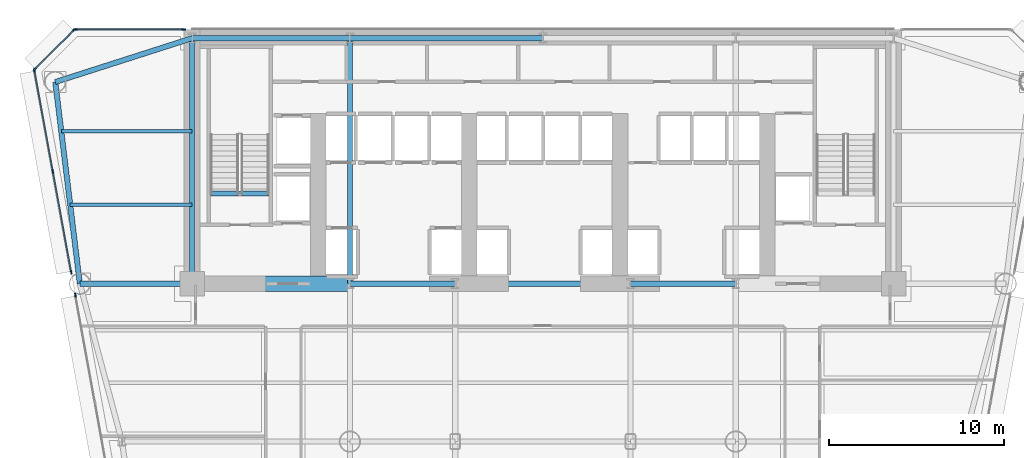
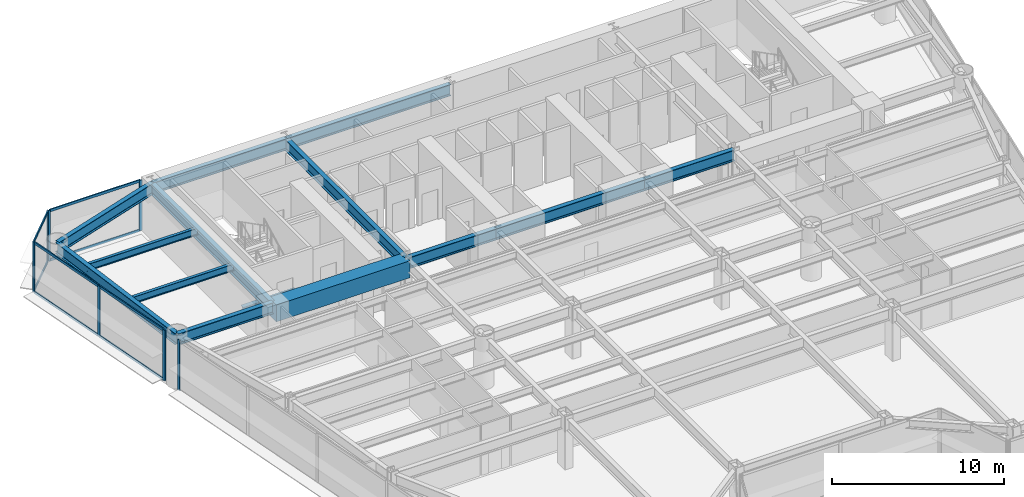
# One storey, part 5 of 14: 16 members, 14 beams, 4 elements without a shape of their own.
"""IFC4 building model written with IfcOpenShell, lengths in metres."""

from ifc_helpers import new_model, si_unit, direction, frame, origin, origin_2d, place, context, subcontext, project, spatial, rectangle, i_section, extrude, source, transform, mapped, material, layer, layer_set, material_profile, profile_set, type_object, element, aggregate, save


model = new_model("IFC4")

# Units and contexts
model_context = context("Model", 3, precision=1e-05, world=origin(), true_north=direction((0.0, 1.0)))
body_context = subcontext(model_context, "Body", "Model", "MODEL_VIEW")
ifc_project = project(units=[si_unit("LENGTHUNIT", "METRE"), si_unit("AREAUNIT", "SQUARE_METRE"), si_unit("VOLUMEUNIT", "CUBIC_METRE"), si_unit("PLANEANGLEUNIT", "RADIAN"), si_unit("MASSUNIT", "GRAM", prefix="KILO")], contexts=[model_context])

# Site, building, storey
site_placement = place(None, origin())
site = spatial("IfcSite", under=ifc_project, at=site_placement, CompositionType="ELEMENT")
building_placement = place(site_placement, origin())
building = spatial("IfcBuilding", under=site, at=building_placement, Name="Vaeldorn Concourse Tower", CompositionType="ELEMENT")
storey_placement = place(building_placement, frame((0.0, 0.0, 64.39990234375)))
storey = spatial("IfcBuildingStorey", under=building, at=storey_placement, Name="L16", CompositionType="ELEMENT", Elevation=64.39990234375)

# Beams
ifc_material_1 = material(Name="Concrete C60/75", Category="concrete")
ifc_material_profile_1 = material_profile(ifc_material_1, rectangle(XDim=0.89990234375, YDim=1.199951171875, at=origin_2d()), Name="RC 900x1200")
ifc_profile_set_1 = profile_set([ifc_material_profile_1], Name="Concrete C60/75")
beam_type_1 = type_object("IfcBeamType", Name="BM-CB-RC900", PredefinedType="BEAM", material=ifc_profile_set_1)
shared_shape_1 = source(origin(), body_context, "Body", "SweptSolid", [
    extrude(rectangle(XDim=0.89990234375, YDim=1.199951171875, at=origin_2d()), origin(), (0.0, 0.0, 1.0), 9.0),
])
beam_1_placement = place(storey_placement, frame((14.0, 36.5, 2.97998046875), z_axis=(1.0, 0.0, 0.0), x_axis=(0.0, 1.0, 0.0)))
element("IfcBeam", 1, at=beam_1_placement, inside=storey, type_object=beam_type_1, Name="Core Coupling Beam L16-1", PredefinedType="BEAM", context=body_context, shape_type="MappedRepresentation", body=[
    mapped(shared_shape_1, transform((0.0, 0.0, 0.0), scale=1.0)),
])
ifc_material_2 = material(Name="Steel S355", Category="steel")
ifc_material_profile_2 = material_profile(ifc_material_2, i_section(OverallWidth=0.300048828125, OverallDepth=0.340087890625, WebThickness=0.011962890625, FlangeThickness=0.021484375, FilletRadius=0.027099609375, at=origin_2d()), Name="HEB 340")
ifc_profile_set_2 = profile_set([ifc_material_profile_2], Name="Steel S355")
beam_type_2 = type_object("IfcBeamType", Name="BM-ST-TRIM", PredefinedType="BEAM", material=ifc_profile_set_2)
shared_shape_2 = source(origin(), body_context, "Body", "SweptSolid", [
    extrude(i_section(OverallWidth=0.300048828125, OverallDepth=0.340087890625, WebThickness=0.011962890625, FlangeThickness=0.021484375, FilletRadius=0.027099609375, at=origin_2d()), origin(), (0.0, 0.0, 1.0), 3.590087890625),
])
beam_2_placement = place(storey_placement, frame((14.929931640625, 41.639892578125, -0.389892578125), z_axis=(1.0, 0.0, 0.0), x_axis=(0.0, 1.0, 0.0)))
element("IfcBeam", 2, at=beam_2_placement, inside=storey, type_object=beam_type_2, Name="Stair Landing Trimmer Beam ST-1 L16", PredefinedType="BEAM", context=body_context, shape_type="MappedRepresentation", body=[
    mapped(shared_shape_2, transform((0.0, 0.0, 0.0), scale=1.0)),
])
ifc_material_profile_3 = material_profile(ifc_material_2, i_section(OverallWidth=0.300048828125, OverallDepth=0.800048828125, WebThickness=0.017578125, FlangeThickness=0.032958984375, FilletRadius=0.030029296875, at=origin_2d()), Name="HEB 800")
ifc_profile_set_3 = profile_set([ifc_material_profile_3], Name="Steel S355")
beam_type_3 = type_object("IfcBeamType", Name="BM-PG-HEB800", PredefinedType="BEAM", material=ifc_profile_set_3)
shared_shape_3 = source(origin(), body_context, "Body", "SweptSolid", [
    extrude(i_section(OverallWidth=0.300048828125, OverallDepth=0.800048828125, WebThickness=0.017578125, FlangeThickness=0.032958984375, FilletRadius=0.030029296875, at=origin_2d()), origin(), (0.0, 0.0, 1.0), 6.0),
])
for number, where, z_axis, x_axis, name in (
    (3, (23.0, 36.5, 3.18017578125), (1.0, 0.0, 0.0), (0.0, 1.0, 0.0), "Beam BM-L16-C-FC2-C-FC3"),
    (4, (39.0, 36.5, 3.18017578125), (1.0, 0.0, 0.0), (0.0, 1.0, 0.0), "Beam BM-L16-C-FC4-C-FC5"),
):
    element("IfcBeam", number, at=place(storey_placement, frame(where, z_axis=z_axis, x_axis=x_axis)), inside=storey, type_object=beam_type_3, Name=name, PredefinedType="BEAM", context=body_context, shape_type="MappedRepresentation", body=[
        mapped(shared_shape_3, transform((0.0, 0.0, 0.0), scale=1.0)),
    ])
shared_shape_4 = source(origin(), body_context, "Body", "SweptSolid", [
    extrude(i_section(OverallWidth=0.300048828125, OverallDepth=0.800048828125, WebThickness=0.017578125, FlangeThickness=0.032958984375, FilletRadius=0.030029296875, at=origin_2d()), origin(), (0.0, 0.0, 1.0), 10.0),
])
beam_3_placement = place(storey_placement, frame((29.0, 36.5, 3.18017578125), z_axis=(1.0, 0.0, 0.0), x_axis=(0.0, 1.0, 0.0)))
element("IfcBeam", 5, at=beam_3_placement, inside=storey, type_object=beam_type_3, Name="Beam BM-L16-C-FC3-C-FC4", PredefinedType="BEAM", context=body_context, shape_type="MappedRepresentation", body=[
    mapped(shared_shape_4, transform((0.0, 0.0, 0.0), scale=1.0)),
])
shared_shape_5 = source(origin(), body_context, "Body", "SweptSolid", [
    extrude(i_section(OverallWidth=0.300048828125, OverallDepth=0.800048828125, WebThickness=0.017578125, FlangeThickness=0.032958984375, FilletRadius=0.030029296875, at=origin_2d()), origin(), (0.0, 0.0, 1.0), 9.0),
])
beam_4_placement = place(storey_placement, frame((14.0, 50.5, 3.18017578125), z_axis=(1.0, 0.0, 0.0), x_axis=(0.0, 1.0, 0.0)))
element("IfcBeam", 6, at=beam_4_placement, inside=storey, type_object=beam_type_3, Name="Beam BM-L16-C-HC1-C-HC2", PredefinedType="BEAM", context=body_context, shape_type="MappedRepresentation", body=[
    mapped(shared_shape_5, transform((0.0, 0.0, 0.0), scale=1.0)),
])
shared_shape_6 = source(origin(), body_context, "Body", "SweptSolid", [
    extrude(i_section(OverallWidth=0.300048828125, OverallDepth=0.800048828125, WebThickness=0.017578125, FlangeThickness=0.032958984375, FilletRadius=0.030029296875, at=origin_2d()), origin(), (0.0, 0.0, 1.0), 11.0),
])
beam_5_placement = place(storey_placement, frame((23.0, 50.5, 3.18017578125), z_axis=(1.0, 0.0, 0.0), x_axis=(0.0, 1.0, 0.0)))
element("IfcBeam", 7, at=beam_5_placement, inside=storey, type_object=beam_type_3, Name="Beam BM-L16-C-HC2-C-HC3", PredefinedType="BEAM", context=body_context, shape_type="MappedRepresentation", body=[
    mapped(shared_shape_6, transform((0.0, 0.0, 0.0), scale=1.0)),
])
shared_shape_7 = source(origin(), body_context, "Body", "SweptSolid", [
    extrude(i_section(OverallWidth=0.300048828125, OverallDepth=0.800048828125, WebThickness=0.017578125, FlangeThickness=0.032958984375, FilletRadius=0.030029296875, at=origin_2d()), origin(), (0.0, 0.0, 1.0), 14.0),
])
for number, where, z_axis, x_axis, name in (
    (8, (14.0, 36.5, 3.18017578125), (0.0, 1.0, 0.0), (-1.0, 0.0, 0.0), "Beam BM-L16-C-FC1-C-HC1"),
    (9, (23.0, 36.5, 3.18017578125), (0.0, 1.0, 0.0), (-1.0, 0.0, 0.0), "Beam BM-L16-C-FC2-C-HC2"),
):
    element("IfcBeam", number, at=place(storey_placement, frame(where, z_axis=z_axis, x_axis=x_axis)), inside=storey, type_object=beam_type_3, Name=name, PredefinedType="BEAM", context=body_context, shape_type="MappedRepresentation", body=[
        mapped(shared_shape_7, transform((0.0, 0.0, 0.0), scale=1.0)),
    ])
shared_shape_8 = source(origin(), body_context, "Body", "SweptSolid", [
    extrude(i_section(OverallWidth=0.300048828125, OverallDepth=0.800048828125, WebThickness=0.017578125, FlangeThickness=0.032958984375, FilletRadius=0.030029296875, at=origin_2d()), origin(), (0.0, 0.0, 1.0), 8.19091796875),
])
beam_6_placement = place(storey_placement, frame((6.199951171875, 48.0, 3.18017578125), z_axis=(0.952282843383, 0.305216949396, 0.0), x_axis=(-0.305216949396, 0.952282843383, 0.0)))
element("IfcBeam", 10, at=beam_6_placement, inside=storey, type_object=beam_type_3, Name="Beam BM-L16-C-NW1-C-HC1", PredefinedType="BEAM", context=body_context, shape_type="MappedRepresentation", body=[
    mapped(shared_shape_8, transform((0.0, 0.0, 0.0), scale=1.0)),
])
shared_shape_9 = source(origin(), body_context, "Body", "SweptSolid", [
    extrude(i_section(OverallWidth=0.300048828125, OverallDepth=0.800048828125, WebThickness=0.017578125, FlangeThickness=0.032958984375, FilletRadius=0.030029296875, at=origin_2d()), origin(), (0.0, 0.0, 1.0), 11.5849609375),
])
beam_7_placement = place(storey_placement, frame((6.199951171875, 48.0, 3.18017578125), z_axis=(0.120859382899, -0.992669637677, 0.0), x_axis=(0.992669637677, 0.120859382899, 0.0)))
element("IfcBeam", 11, at=beam_7_placement, inside=storey, type_object=beam_type_3, Name="Beam BM-L16-C-NW1-C-NW2", PredefinedType="BEAM", context=body_context, shape_type="MappedRepresentation", body=[
    mapped(shared_shape_9, transform((0.0, 0.0, 0.0), scale=1.0)),
])
shared_shape_10 = source(origin(), body_context, "Body", "SweptSolid", [
    extrude(i_section(OverallWidth=0.300048828125, OverallDepth=0.800048828125, WebThickness=0.017578125, FlangeThickness=0.032958984375, FilletRadius=0.030029296875, at=origin_2d()), origin(), (0.0, 0.0, 1.0), 6.39990234375),
])
beam_8_placement = place(storey_placement, frame((7.60009765625, 36.5, 3.18017578125), z_axis=(1.0, 0.0, 0.0), x_axis=(0.0, 1.0, 0.0)))
element("IfcBeam", 12, at=beam_8_placement, inside=storey, type_object=beam_type_3, Name="Beam BM-L16-C-NW2-C-FC1", PredefinedType="BEAM", context=body_context, shape_type="MappedRepresentation", body=[
    mapped(shared_shape_10, transform((0.0, 0.0, 0.0), scale=1.0)),
])
ifc_material_profile_4 = material_profile(ifc_material_2, i_section(OverallWidth=0.199951171875, OverallDepth=0.5, WebThickness=0.01025390625, FlangeThickness=0.01611328125, FilletRadius=0.02099609375, at=origin_2d()), Name="IPE 500")
ifc_profile_set_4 = profile_set([ifc_material_profile_4], Name="Steel S355")
beam_type_4 = type_object("IfcBeamType", Name="BM-JS-IPE500", PredefinedType="JOIST", material=ifc_profile_set_4)
shared_shape_11 = source(origin(), body_context, "Body", "SweptSolid", [
    extrude(i_section(OverallWidth=0.199951171875, OverallDepth=0.5, WebThickness=0.01025390625, FlangeThickness=0.01611328125, FilletRadius=0.02099609375, at=origin_2d()), origin(), (0.0, 0.0, 1.0), 6.94775390625),
])
beam_9_placement = place(storey_placement, frame((7.05224609375, 41.0, 3.330078125), z_axis=(1.0, 0.0, 0.0), x_axis=(0.0, 1.0, 0.0)))
element("IfcBeam", 13, at=beam_9_placement, inside=storey, type_object=beam_type_4, Name="Beam JS-L16-NW-410", PredefinedType="JOIST", context=body_context, shape_type="MappedRepresentation", body=[
    mapped(shared_shape_11, transform((0.0, 0.0, 0.0), scale=1.0)),
])
shared_shape_12 = source(origin(), body_context, "Body", "SweptSolid", [
    extrude(i_section(OverallWidth=0.199951171875, OverallDepth=0.5, WebThickness=0.01025390625, FlangeThickness=0.01611328125, FilletRadius=0.02099609375, at=origin_2d()), origin(), (0.0, 0.0, 1.0), 7.458984375),
])
beam_10_placement = place(storey_placement, frame((6.541015625, 45.199951171875, 3.330078125), z_axis=(1.0, 0.0, 0.0), x_axis=(0.0, 1.0, 0.0)))
element("IfcBeam", 14, at=beam_10_placement, inside=storey, type_object=beam_type_4, Name="Beam JS-L16-NW-452", PredefinedType="JOIST", context=body_context, shape_type="MappedRepresentation", body=[
    mapped(shared_shape_12, transform((0.0, 0.0, 0.0), scale=1.0)),
])

# Curtain wall, members
ifc_material_3 = material(Name="Anodised Bronze Aluminium", Category="aluminium")
ifc_layer = layer(ifc_material_3, 0.219970703125)
ifc_layer_set = layer_set([ifc_layer], Name="Anodised Bronze Aluminium")
curtain_wall_type = type_object("IfcCurtainWallType", Name="CW-SYS-01", PredefinedType="NOTDEFINED", material=ifc_layer_set)
curtain_wall_1_placement = place(storey_placement, origin())
curtain_wall_1 = element("IfcCurtainWall", 15, at=curtain_wall_1_placement, inside=storey, type_object=curtain_wall_type, Name="Unitised Curtain Wall CW-L16-E10-1", PredefinedType="NOTDEFINED")
ifc_material_profile_5 = material_profile(ifc_material_3, rectangle(XDim=0.074951171875, YDim=0.179931640625, at=origin_2d()), Name="CWT 75x180")
ifc_profile_set_5 = profile_set([ifc_material_profile_5], Name="Anodised Bronze Aluminium")
member_type_1 = type_object("IfcMemberType", Name="CWT-BRONZE-180", PredefinedType="USERDEFINED", material=ifc_profile_set_5)
shared_shape_13 = source(origin(), body_context, "Body", "SweptSolid", [
    extrude(rectangle(XDim=0.074951171875, YDim=0.179931640625, at=origin_2d()), origin(), (0.0, 0.0, 1.0), 3.10302734375),
])
member_1_placement = place(storey_placement, frame((7.2470703125, 50.947021484375, 0.03759765625), z_axis=(-0.707106781187, -0.707106781187, 0.0), x_axis=(0.707106781187, -0.707106781187, 0.0)))
member_1 = element("IfcMember", 16, at=member_1_placement, type_object=member_type_1, Name="CW-01 transom 1.1", ObjectType="TRANSOM", PredefinedType="USERDEFINED", context=body_context, shape_type="MappedRepresentation", body=[
    mapped(shared_shape_13, transform((0.0, 0.0, 0.0), scale=1.0)),
])
member_2_placement = place(storey_placement, frame((7.2470703125, 50.947021484375, 3.54248046875), z_axis=(-0.707106781187, -0.707106781187, 0.0), x_axis=(0.707106781187, -0.707106781187, 0.0)))
member_2 = element("IfcMember", 17, at=member_2_placement, type_object=member_type_1, Name="CW-01 transom 1.2", ObjectType="TRANSOM", PredefinedType="USERDEFINED", context=body_context, shape_type="MappedRepresentation", body=[
    mapped(shared_shape_13, transform((0.0, 0.0, 0.0), scale=1.0)),
])

curtain_wall_2_placement = place(storey_placement, origin())
curtain_wall_2 = element("IfcCurtainWall", 18, at=curtain_wall_2_placement, inside=storey, type_object=curtain_wall_type, Name="Unitised Curtain Wall CW-L16-E09-2", PredefinedType="NOTDEFINED")
shared_shape_14 = source(origin(), body_context, "Body", "SweptSolid", [
    extrude(rectangle(XDim=0.074951171875, YDim=0.179931640625, at=origin_2d()), origin(), (0.0, 0.0, 1.0), 6.10498046875),
])
member_3_placement = place(storey_placement, frame((13.47998046875, 51.0, 0.03759765625), z_axis=(-1.0, 0.0, 0.0), x_axis=(0.0, -1.0, 0.0)))
member_3 = element("IfcMember", 19, at=member_3_placement, type_object=member_type_1, Name="CW-01 transom 1.1", ObjectType="TRANSOM", PredefinedType="USERDEFINED", context=body_context, shape_type="MappedRepresentation", body=[
    mapped(shared_shape_14, transform((0.0, 0.0, 0.0), scale=1.0)),
])
member_4_placement = place(storey_placement, frame((13.47998046875, 51.0, 3.54248046875), z_axis=(-1.0, 0.0, 0.0), x_axis=(0.0, -1.0, 0.0)))
member_4 = element("IfcMember", 20, at=member_4_placement, type_object=member_type_1, Name="CW-01 transom 1.2", ObjectType="TRANSOM", PredefinedType="USERDEFINED", context=body_context, shape_type="MappedRepresentation", body=[
    mapped(shared_shape_14, transform((0.0, 0.0, 0.0), scale=1.0)),
])
ifc_material_profile_6 = material_profile(ifc_material_3, rectangle(XDim=0.074951171875, YDim=0.219970703125, at=origin_2d()), Name="CWM 75x220")
ifc_profile_set_6 = profile_set([ifc_material_profile_6], Name="Anodised Bronze Aluminium")
member_type_2 = type_object("IfcMemberType", Name="CWM-BRONZE-220", PredefinedType="MULLION", material=ifc_profile_set_6)
shared_shape_15 = source(origin(), body_context, "Body", "SweptSolid", [
    extrude(rectangle(XDim=0.074951171875, YDim=0.219970703125, at=origin_2d()), origin(), (0.0, 0.0, 1.0), 3.580078125),
])
member_5_placement = place(storey_placement, frame((13.517578125, 51.0, 0.0), z_axis=(0.0, 0.0, 1.0), x_axis=(0.0, -1.0, 0.0)))
member_5 = element("IfcMember", 21, at=member_5_placement, type_object=member_type_2, Name="CW-01 mullion 1", PredefinedType="MULLION", context=body_context, shape_type="MappedRepresentation", body=[
    mapped(shared_shape_15, transform((0.0, 0.0, 0.0), scale=1.0)),
])
member_6_placement = place(storey_placement, frame((7.33740234375, 51.0, 0.0), z_axis=(0.0, 0.0, 1.0), x_axis=(0.0, -1.0, 0.0)))
member_6 = element("IfcMember", 22, at=member_6_placement, type_object=member_type_2, Name="CW-01 mullion 2", PredefinedType="MULLION", context=body_context, shape_type="MappedRepresentation", body=[
    mapped(shared_shape_15, transform((0.0, 0.0, 0.0), scale=1.0)),
])
aggregate(curtain_wall_2, [member_5, member_6, member_3, member_4])

# Member
member_7_placement = place(storey_placement, frame((7.2734375, 50.973388671875, 0.0), z_axis=(0.0, 0.0, 1.0), x_axis=(0.707106781187, -0.707106781187, 0.0)))
member_7 = element("IfcMember", 23, at=member_7_placement, type_object=member_type_2, Name="CW-01 mullion 1", PredefinedType="MULLION", context=body_context, shape_type="MappedRepresentation", body=[
    mapped(shared_shape_15, transform((0.0, 0.0, 0.0), scale=1.0)),
])

member_8_placement = place(storey_placement, frame((5.026611328125, 48.7265625, 0.0), z_axis=(0.0, 0.0, 1.0), x_axis=(0.707106781187, -0.707106781187, 0.0)))
member_8 = element("IfcMember", 24, at=member_8_placement, type_object=member_type_2, Name="CW-01 mullion 2", PredefinedType="MULLION", context=body_context, shape_type="MappedRepresentation", body=[
    mapped(shared_shape_15, transform((0.0, 0.0, 0.0), scale=1.0)),
])

aggregate(curtain_wall_1, [member_7, member_8, member_1, member_2])

# Curtain wall, members
curtain_wall_3_placement = place(storey_placement, origin())
curtain_wall_3 = element("IfcCurtainWall", 25, at=curtain_wall_3_placement, inside=storey, type_object=curtain_wall_type, Name="Unitised Curtain Wall CW-L16-E11-1", PredefinedType="NOTDEFINED")
member_9_placement = place(storey_placement, frame((5.0068359375, 48.6630859375, 0.0), z_axis=(0.0, 0.0, 1.0), x_axis=(0.983762765235, 0.179473735508, 0.0)))
member_9 = element("IfcMember", 26, at=member_9_placement, type_object=member_type_2, Name="CW-01 mullion 1", PredefinedType="MULLION", context=body_context, shape_type="MappedRepresentation", body=[
    mapped(shared_shape_15, transform((0.0, 0.0, 0.0), scale=1.0)),
])
member_10_placement = place(storey_placement, frame((6.056396484375, 42.90966796875, 0.0), z_axis=(0.0, 0.0, 1.0), x_axis=(0.983762765235, 0.179473735508, 0.0)))
member_10 = element("IfcMember", 27, at=member_10_placement, type_object=member_type_2, Name="CW-01 mullion 2", PredefinedType="MULLION", context=body_context, shape_type="MappedRepresentation", body=[
    mapped(shared_shape_15, transform((0.0, 0.0, 0.0), scale=1.0)),
])
member_11_placement = place(storey_placement, frame((7.10595703125, 37.156494140625, 0.0), z_axis=(0.0, 0.0, 1.0), x_axis=(0.983762765235, 0.179473735508, 0.0)))
member_11 = element("IfcMember", 28, at=member_11_placement, type_object=member_type_2, Name="CW-01 mullion 3", PredefinedType="MULLION", context=body_context, shape_type="MappedRepresentation", body=[
    mapped(shared_shape_15, transform((0.0, 0.0, 0.0), scale=1.0)),
])

# Curtain wall, member
curtain_wall_4_placement = place(storey_placement, origin())
curtain_wall_4 = element("IfcCurtainWall", 29, at=curtain_wall_4_placement, inside=storey, type_object=curtain_wall_type, Name="Unitised Curtain Wall CW-L16-E11-2", PredefinedType="NOTDEFINED")
member_12_placement = place(storey_placement, frame((7.345458984375, 35.843505859375, 0.0), z_axis=(0.0, 0.0, 1.0), x_axis=(0.983762772007, 0.179473698387, 0.0)))
member_12 = element("IfcMember", 30, at=member_12_placement, type_object=member_type_2, Name="CW-01 mullion 1", PredefinedType="MULLION", context=body_context, shape_type="MappedRepresentation", body=[
    mapped(shared_shape_15, transform((0.0, 0.0, 0.0), scale=1.0)),
])
aggregate(curtain_wall_4, [member_12])

# Member
shared_shape_16 = source(origin(), body_context, "Body", "SweptSolid", [
    extrude(rectangle(XDim=0.074951171875, YDim=0.179931640625, at=origin_2d()), origin(), (0.0, 0.0, 1.0), 5.773193359375),
])
member_13_placement = place(storey_placement, frame((6.06298828125, 42.872802734375, 0.03759765625), z_axis=(0.179473388818, -0.983762828484, 0.0), x_axis=(0.983762828484, 0.179473388818, 0.0)))
member_13 = element("IfcMember", 31, at=member_13_placement, type_object=member_type_1, Name="CW-01 transom 2.1", ObjectType="TRANSOM", PredefinedType="USERDEFINED", context=body_context, shape_type="MappedRepresentation", body=[
    mapped(shared_shape_16, transform((0.0, 0.0, 0.0), scale=1.0)),
])

member_14_placement = place(storey_placement, frame((6.06298828125, 42.872802734375, 3.54248046875), z_axis=(0.179473388818, -0.983762828484, 0.0), x_axis=(0.983762828484, 0.179473388818, 0.0)))
member_14 = element("IfcMember", 32, at=member_14_placement, type_object=member_type_1, Name="CW-01 transom 2.2", ObjectType="TRANSOM", PredefinedType="USERDEFINED", context=body_context, shape_type="MappedRepresentation", body=[
    mapped(shared_shape_16, transform((0.0, 0.0, 0.0), scale=1.0)),
])

shared_shape_17 = source(origin(), body_context, "Body", "SweptSolid", [
    extrude(rectangle(XDim=0.074951171875, YDim=0.179931640625, at=origin_2d()), origin(), (0.0, 0.0, 1.0), 5.7734375),
])
member_15_placement = place(storey_placement, frame((5.013427734375, 48.626220703125, 0.03759765625), z_axis=(0.179465922657, -0.983764190548, 0.0), x_axis=(0.983764190548, 0.179465922657, 0.0)))
member_15 = element("IfcMember", 33, at=member_15_placement, type_object=member_type_1, Name="CW-01 transom 1.1", ObjectType="TRANSOM", PredefinedType="USERDEFINED", context=body_context, shape_type="MappedRepresentation", body=[
    mapped(shared_shape_17, transform((0.0, 0.0, 0.0), scale=1.0)),
])

member_16_placement = place(storey_placement, frame((5.013427734375, 48.626220703125, 3.54248046875), z_axis=(0.179465922657, -0.983764190548, 0.0), x_axis=(0.983764190548, 0.179465922657, 0.0)))
member_16 = element("IfcMember", 34, at=member_16_placement, type_object=member_type_1, Name="CW-01 transom 1.2", ObjectType="TRANSOM", PredefinedType="USERDEFINED", context=body_context, shape_type="MappedRepresentation", body=[
    mapped(shared_shape_17, transform((0.0, 0.0, 0.0), scale=1.0)),
])

aggregate(curtain_wall_3, [member_9, member_10, member_11, member_15, member_16, member_13, member_14])

save(model, "model.ifc")
